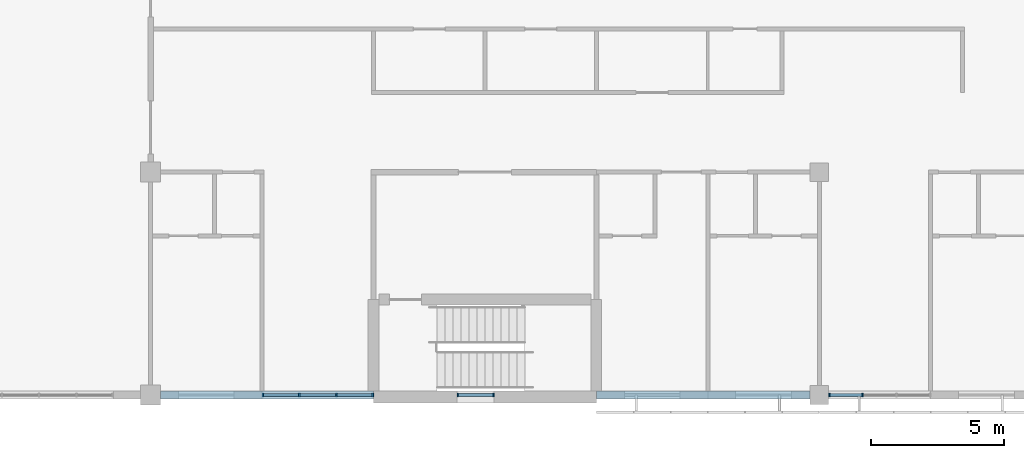
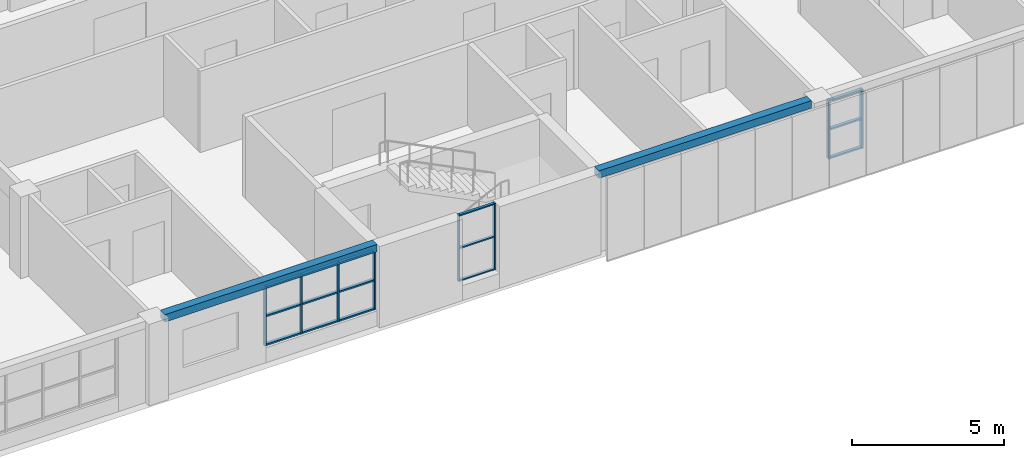
# One storey, part 19 of 61: 23 members, 2 beams, 3 elements without a shape of their own.
"""IFC4 building model written with IfcOpenShell, lengths in metres."""

import ifcopenshell
import ifcopenshell.guid

model = None  # the IFC model being written
_history = None  # IfcOwnerHistory: only IFC2X3 demands one
_inside = {}  # id of a spatial element -> (the spatial element, [elements in it])
_under = {}  # id of a project, library or spatial element -> (it, [spatial elements below it])
_declared = {}  # id of a project -> (the project, [libraries it declares])
_typed = {}  # id of a type object -> (the type object, [elements of that type])
_made_of = {}  # id of a material, layer set ... -> (it, [elements and type objects made of it])


def new_model(schema):
    """Start an empty IFC model of exactly this schema.

    Asked for "IFC4X3", IfcOpenShell would pick the latest addendum, in which some entities
    have other attributes; the version numbers below select the first issue.
    IFC2X3 requires an IfcOwnerHistory on every rooted entity: one is made here for all.
    """
    global model, _history
    if schema == "IFC4X3":
        model = ifcopenshell.file(schema_version=(4, 3, 0, 0))
    else:
        model = ifcopenshell.file(schema=schema)
    _inside.clear()
    _under.clear()
    _declared.clear()
    _typed.clear()
    _made_of.clear()
    _history = None
    if model.schema == "IFC2X3":
        org = make("IfcOrganization", Name="unknown")
        user = make(
            "IfcPersonAndOrganization",
            ThePerson=make("IfcPerson", FamilyName="unknown"),
            TheOrganization=org,
        )
        app = make(
            "IfcApplication",
            ApplicationDeveloper=org,
            Version="unknown",
            ApplicationFullName="unknown",
            ApplicationIdentifier="unknown",
        )
        _history = make(
            "IfcOwnerHistory",
            OwningUser=user,
            OwningApplication=app,
            ChangeAction="ADDED",
            CreationDate=0,
        )
    return model


def make(cls, **values):
    """One entity of the class cls with the attributes given. An attribute that is None is left unset."""
    return model.create_entity(
        cls, **{name: value for name, value in values.items() if value is not None}
    )


def rooted(cls, **values):
    """An entity with a GlobalId (a new one), such as an element, a storey or a relation."""
    return make(cls, GlobalId=ifcopenshell.guid.new(), OwnerHistory=_history, **values)


def si_unit(unit_type, name, prefix=None):
    """IfcSIUnit, for example si_unit("LENGTHUNIT", "METRE", prefix="MILLI")."""
    return make("IfcSIUnit", UnitType=unit_type, Prefix=prefix, Name=name)


def assignment(units):
    """IfcUnitAssignment: the units of a project."""
    return None if units is None else make("IfcUnitAssignment", Units=units)


def point(xyz):
    """IfcCartesianPoint."""
    return None if xyz is None else make("IfcCartesianPoint", Coordinates=xyz)


def direction(xyz):
    """IfcDirection."""
    return None if xyz is None else make("IfcDirection", DirectionRatios=xyz)


def frame(location, z_axis=None, x_axis=None):
    """IfcAxis2Placement3D, a coordinate frame: its origin and axes. An axis left out is left unset."""
    return make(
        "IfcAxis2Placement3D",
        Location=point(location),
        Axis=direction(z_axis),
        RefDirection=direction(x_axis),
    )


def frame_2d(location, x_axis=None):
    """IfcAxis2Placement2D, a coordinate frame in the plane: its origin and x axis."""
    return make(
        "IfcAxis2Placement2D", Location=point(location), RefDirection=direction(x_axis)
    )


def origin():
    """The frame at (0, 0, 0) with its axes left unset."""
    return frame((0.0, 0.0, 0.0))


def origin_2d():
    """The frame at (0, 0) in the plane with its x axis left unset."""
    return frame_2d((0.0, 0.0))


def place(relative_to, where):
    """IfcLocalPlacement: puts the frame where relative to a parent placement (None: the world)."""
    return make(
        "IfcLocalPlacement", PlacementRelTo=relative_to, RelativePlacement=where
    )


def context(
    kind, dimensions, precision=None, world=None, true_north=None, identifier=None
):
    """IfcGeometricRepresentationContext, for example the 3D "Model" context."""
    return make(
        "IfcGeometricRepresentationContext",
        ContextIdentifier=identifier,
        ContextType=kind,
        CoordinateSpaceDimension=dimensions,
        Precision=precision,
        WorldCoordinateSystem=world,
        TrueNorth=true_north,
    )


def subcontext(parent, identifier, kind, view, scale=None):
    """IfcGeometricRepresentationSubContext, for example "Body" below "Model"."""
    return make(
        "IfcGeometricRepresentationSubContext",
        ContextIdentifier=identifier,
        ContextType=kind,
        ParentContext=parent,
        TargetScale=scale,
        TargetView=view,
    )


def project(units=None, contexts=None):
    """IfcProject with its units and contexts."""
    return rooted(
        "IfcProject",
        Name="project",
        RepresentationContexts=contexts,
        UnitsInContext=assignment(units),
    )


def spatial(cls, under=None, at=None, **own):
    """A site, building, storey or space (cls), placed at a placement, below another one or the project."""
    s = rooted(cls, ObjectPlacement=at, **own)
    if under is not None:
        _under.setdefault(under.id(), (under, []))[1].append(s)
    return s


def profile(cls, at=None, kind="AREA", **sizes):
    """A parametric profile (cls). Its sizes go by their IFC names, for example OverallWidth=200.0."""
    return make(cls, ProfileType=kind, Position=at, **sizes)


def rectangle(**sizes):
    """IfcRectangleProfileDef."""
    return profile("IfcRectangleProfileDef", **sizes)


def extrude(swept, where, along, depth):
    """IfcExtrudedAreaSolid: the profile swept, set in the frame where, extruded along a direction by depth."""
    return make(
        "IfcExtrudedAreaSolid",
        SweptArea=swept,
        Position=where,
        ExtrudedDirection=direction(along),
        Depth=depth,
    )


def shape(context_of_items, identifier, shape_type, items):
    """IfcShapeRepresentation: the items that make up one representation, for example the "Body"."""
    return make(
        "IfcShapeRepresentation",
        ContextOfItems=context_of_items,
        RepresentationIdentifier=identifier,
        RepresentationType=shape_type,
        Items=items,
    )


def material(Name=None, Category=None):
    """IfcMaterial."""
    return make("IfcMaterial", Name=Name, Category=Category)


def material_profile(
    of_material, cross_section, Name=None, Category=None, Priority=None
):
    """IfcMaterialProfile: a cross section and its material."""
    return make(
        "IfcMaterialProfile",
        Name=Name,
        Material=of_material,
        Profile=cross_section,
        Priority=Priority,
        Category=Category,
    )


def profile_set(profiles, Name=None, composite=None):
    """IfcMaterialProfileSet."""
    return make(
        "IfcMaterialProfileSet",
        Name=Name,
        MaterialProfiles=profiles,
        CompositeProfile=composite,
    )


def made_of(thing, what):
    """Note that an element or type object is made of a material, layer set ...; save() writes the relation."""
    if what is not None:
        _made_of.setdefault(what.id(), (what, []))[1].append(thing)
    return thing


def type_object(cls, material=None, **own):
    """A type object (cls), such as IfcWallType, which elements share."""
    return made_of(rooted(cls, **own), material)


def element(
    cls,
    number,
    at=None,
    inside=None,
    cuts=None,
    type_object=None,
    material=None,
    context=None,
    identifier="Body",
    shape_type=None,
    held_by="IfcProductDefinitionShape",
    body=None,
    shapes=None,
    **own,
):
    """One element of the class cls, such as IfcWall. Its Tag is "e" and its number.

    at: its placement. inside: the storey or other place that contains it. cuts: it is an
    opening in that element (IfcRelVoidsElement). A single representation is given by context,
    identifier, shape_type and body (its items); several are given by shapes. held_by: the class
    of the entity that holds the representations. save() writes the other relations.
    """
    e = rooted(cls, Tag="e%d" % number, ObjectPlacement=at, **own)
    if body is not None:
        shapes = [shape(context, identifier, shape_type, body)]
    if shapes is not None:
        e.Representation = make(held_by, Representations=shapes)
    if inside is not None:
        _inside.setdefault(inside.id(), (inside, []))[1].append(e)
    if cuts is not None:
        rooted(
            "IfcRelVoidsElement", RelatingBuildingElement=cuts, RelatedOpeningElement=e
        )
    if type_object is not None:
        _typed.setdefault(type_object.id(), (type_object, []))[1].append(e)
    return made_of(e, material)


def aggregate(whole, parts):
    """IfcRelAggregates: a whole, such as a stair, and the parts it consists of."""
    return rooted("IfcRelAggregates", RelatingObject=whole, RelatedObjects=parts)


def save(model, path):
    """Write the relations noted so far, then the file.

    IfcRelAggregates (storeys below a building ...), IfcRelContainedInSpatialStructure (elements
    in a storey), IfcRelDefinesByType, IfcRelAssociatesMaterial and IfcRelDeclares: one each for
    every whole, place, type object, material and project.
    """
    for whole, parts in _under.values():
        aggregate(whole, parts)
    for where, things in _inside.values():
        rooted(
            "IfcRelContainedInSpatialStructure",
            RelatedElements=things,
            RelatingStructure=where,
        )
    for kind, things in _typed.values():
        rooted("IfcRelDefinesByType", RelatedObjects=things, RelatingType=kind)
    for what, things in _made_of.values():
        rooted("IfcRelAssociatesMaterial", RelatedObjects=things, RelatingMaterial=what)
    for by, libraries in _declared.values():
        rooted("IfcRelDeclares", RelatingContext=by, RelatedDefinitions=libraries)
    model.write(path)


model = new_model("IFC4")

# Units and contexts
model_context = context("Model", 3, precision=1e-05, world=origin(), true_north=direction((0.0, 1.0)))
body_context = subcontext(model_context, "Body", "Model", "MODEL_VIEW")
ifc_project = project(units=[si_unit("LENGTHUNIT", "METRE"), si_unit("AREAUNIT", "SQUARE_METRE"), si_unit("VOLUMEUNIT", "CUBIC_METRE"), si_unit("PLANEANGLEUNIT", "RADIAN"), si_unit("MASSUNIT", "GRAM", prefix="KILO")], contexts=[model_context])

# Site, building, storey
site_placement = place(None, origin())
site = spatial("IfcSite", under=ifc_project, at=site_placement, CompositionType="ELEMENT")
building_placement = place(site_placement, origin())
building = spatial("IfcBuilding", under=site, at=building_placement, Name="Yavir Park General Hospital", CompositionType="ELEMENT")
storey_placement = place(building_placement, frame((0.0, 0.0, 15.300048828125)))
storey = spatial("IfcBuildingStorey", under=building, at=storey_placement, Name="L03", CompositionType="ELEMENT", Elevation=15.300048828125)

# Curtain wall, members
ifc_material_1 = material(Name="Aluminium curtain wall frame with insulated glazing", Category="aluminium")
curtain_wall_type_1 = type_object("IfcCurtainWallType", Name="Day room pocket glazing, ward floors, 2360 high, 1400 module", PredefinedType="NOTDEFINED", material=ifc_material_1)
curtain_wall_1_placement = place(storey_placement, origin())
curtain_wall_1 = element("IfcCurtainWall", 1, at=curtain_wall_1_placement, inside=storey, type_object=curtain_wall_type_1, Name="CW6 L03-008", PredefinedType="NOTDEFINED")
ifc_material_2 = material(Name="Aluminium", Category="aluminium")
ifc_material_profile_1 = material_profile(ifc_material_2, rectangle(XDim=0.139892578125, YDim=0.06005859375, at=origin_2d()), Name="AL 60x140")
ifc_profile_set_1 = profile_set([ifc_material_profile_1], Name="Aluminium")
member_type_1 = type_object("IfcMemberType", Name="Day room pocket glazing, ward floors, 2360 high mullion 60 x 140", PredefinedType="MULLION", material=ifc_profile_set_1)
member_1_placement = place(storey_placement, frame((130.22998046875, 0.0, 0.599853515625), z_axis=(0.0, 0.0, 1.0), x_axis=(0.0, 1.0, 0.0)))
member_1 = element("IfcMember", 2, at=member_1_placement, type_object=member_type_1, Name="CW6 mullion 1", PredefinedType="MULLION", context=body_context, shape_type="SweptSolid", body=[
    extrude(rectangle(XDim=0.139892578125, YDim=0.06005859375, at=origin_2d()), origin(), (0.0, 0.0, 1.0), 2.360107421875),
])
member_2_placement = place(storey_placement, frame((131.60009765625, 0.0, 0.599853515625), z_axis=(0.0, 0.0, 1.0), x_axis=(0.0, 1.0, 0.0)))
member_2 = element("IfcMember", 3, at=member_2_placement, type_object=member_type_1, Name="CW6 mullion 2", PredefinedType="MULLION", context=body_context, shape_type="SweptSolid", body=[
    extrude(rectangle(XDim=0.139892578125, YDim=0.06005859375, at=origin_2d()), origin(), (0.0, 0.0, 1.0), 2.360107421875),
])
member_3_placement = place(storey_placement, frame((133.0, 0.0, 0.599853515625), z_axis=(0.0, 0.0, 1.0), x_axis=(0.0, 1.0, 0.0)))
member_3 = element("IfcMember", 4, at=member_3_placement, type_object=member_type_1, Name="CW6 mullion 3", PredefinedType="MULLION", context=body_context, shape_type="SweptSolid", body=[
    extrude(rectangle(XDim=0.139892578125, YDim=0.06005859375, at=origin_2d()), origin(), (0.0, 0.0, 1.0), 2.360107421875),
])
member_4_placement = place(storey_placement, frame((134.3701171875, 0.0, 0.599853515625), z_axis=(0.0, 0.0, 1.0), x_axis=(0.0, 1.0, 0.0)))
member_4 = element("IfcMember", 5, at=member_4_placement, type_object=member_type_1, Name="CW6 mullion 4", PredefinedType="MULLION", context=body_context, shape_type="SweptSolid", body=[
    extrude(rectangle(XDim=0.139892578125, YDim=0.06005859375, at=origin_2d()), origin(), (0.0, 0.0, 1.0), 2.360107421875),
])

curtain_wall_2_placement = place(storey_placement, origin())
curtain_wall_2 = element("IfcCurtainWall", 6, at=curtain_wall_2_placement, inside=storey, type_object=curtain_wall_type_1, Name="CW6 L03-010", PredefinedType="NOTDEFINED")
member_5_placement = place(storey_placement, frame((151.580078125, 0.0, 0.599853515625), z_axis=(0.0, 0.0, 1.0), x_axis=(0.0, 1.0, 0.0)))
member_5 = element("IfcMember", 7, at=member_5_placement, type_object=member_type_1, Name="CW6 mullion 1", PredefinedType="MULLION", context=body_context, shape_type="SweptSolid", body=[
    extrude(rectangle(XDim=0.139892578125, YDim=0.06005859375, at=origin_2d()), origin(), (0.0, 0.0, 1.0), 2.360107421875),
])
member_6_placement = place(storey_placement, frame((152.833251953125, 0.0, 0.599853515625), z_axis=(0.0, 0.0, 1.0), x_axis=(0.0, 1.0, 0.0)))
member_6 = element("IfcMember", 8, at=member_6_placement, type_object=member_type_1, Name="CW6 mullion 2", PredefinedType="MULLION", context=body_context, shape_type="SweptSolid", body=[
    extrude(rectangle(XDim=0.139892578125, YDim=0.06005859375, at=origin_2d()), origin(), (0.0, 0.0, 1.0), 2.360107421875),
])

# Member
ifc_material_3 = material(Name="Aluminium", Category="aluminium")
ifc_material_profile_2 = material_profile(ifc_material_3, rectangle(XDim=0.1201171875, YDim=0.06005859375, at=origin_2d()), Name="AL 120x60")
ifc_profile_set_2 = profile_set([ifc_material_profile_2], Name="Aluminium")
member_type_2 = type_object("IfcMemberType", Name="Day room pocket glazing, ward floors, 2360 high transom 60 x 120", PredefinedType="MULLION", material=ifc_profile_set_2)
member_7_placement = place(storey_placement, frame((130.260009765625, 0.0, 0.6298828125), z_axis=(1.0, 0.0, 0.0), x_axis=(0.0, 1.0, 0.0)))
member_7 = element("IfcMember", 9, at=member_7_placement, type_object=member_type_2, Name="CW6 transom 1.1", PredefinedType="MULLION", context=body_context, shape_type="SweptSolid", body=[
    extrude(rectangle(XDim=0.1201171875, YDim=0.06005859375, at=origin_2d()), origin(), (0.0, 0.0, 1.0), 1.31005859375),
])

member_8_placement = place(storey_placement, frame((130.260009765625, 0.0, 1.780029296875), z_axis=(1.0, 0.0, 0.0), x_axis=(0.0, 1.0, 0.0)))
member_8 = element("IfcMember", 10, at=member_8_placement, type_object=member_type_2, Name="CW6 transom 1.2", PredefinedType="MULLION", context=body_context, shape_type="SweptSolid", body=[
    extrude(rectangle(XDim=0.1201171875, YDim=0.06005859375, at=origin_2d()), origin(), (0.0, 0.0, 1.0), 1.31005859375),
])

member_9_placement = place(storey_placement, frame((130.260009765625, 0.0, 2.929931640625), z_axis=(1.0, 0.0, 0.0), x_axis=(0.0, 1.0, 0.0)))
member_9 = element("IfcMember", 11, at=member_9_placement, type_object=member_type_2, Name="CW6 transom 1.3", PredefinedType="MULLION", context=body_context, shape_type="SweptSolid", body=[
    extrude(rectangle(XDim=0.1201171875, YDim=0.06005859375, at=origin_2d()), origin(), (0.0, 0.0, 1.0), 1.31005859375),
])

member_10_placement = place(storey_placement, frame((131.6298828125, 0.0, 0.6298828125), z_axis=(1.0, 0.0, 0.0), x_axis=(0.0, 1.0, 0.0)))
member_10 = element("IfcMember", 12, at=member_10_placement, type_object=member_type_2, Name="CW6 transom 2.1", PredefinedType="MULLION", context=body_context, shape_type="SweptSolid", body=[
    extrude(rectangle(XDim=0.1201171875, YDim=0.06005859375, at=origin_2d()), origin(), (0.0, 0.0, 1.0), 1.340087890625),
])

member_11_placement = place(storey_placement, frame((131.6298828125, 0.0, 1.780029296875), z_axis=(1.0, 0.0, 0.0), x_axis=(0.0, 1.0, 0.0)))
member_11 = element("IfcMember", 13, at=member_11_placement, type_object=member_type_2, Name="CW6 transom 2.2", PredefinedType="MULLION", context=body_context, shape_type="SweptSolid", body=[
    extrude(rectangle(XDim=0.1201171875, YDim=0.06005859375, at=origin_2d()), origin(), (0.0, 0.0, 1.0), 1.340087890625),
])

member_12_placement = place(storey_placement, frame((131.6298828125, 0.0, 2.929931640625), z_axis=(1.0, 0.0, 0.0), x_axis=(0.0, 1.0, 0.0)))
member_12 = element("IfcMember", 14, at=member_12_placement, type_object=member_type_2, Name="CW6 transom 2.3", PredefinedType="MULLION", context=body_context, shape_type="SweptSolid", body=[
    extrude(rectangle(XDim=0.1201171875, YDim=0.06005859375, at=origin_2d()), origin(), (0.0, 0.0, 1.0), 1.340087890625),
])

member_13_placement = place(storey_placement, frame((133.030029296875, 0.0, 0.6298828125), z_axis=(1.0, 0.0, 0.0), x_axis=(0.0, 1.0, 0.0)))
member_13 = element("IfcMember", 15, at=member_13_placement, type_object=member_type_2, Name="CW6 transom 3.1", PredefinedType="MULLION", context=body_context, shape_type="SweptSolid", body=[
    extrude(rectangle(XDim=0.1201171875, YDim=0.06005859375, at=origin_2d()), origin(), (0.0, 0.0, 1.0), 1.31005859375),
])

member_14_placement = place(storey_placement, frame((133.030029296875, 0.0, 1.780029296875), z_axis=(1.0, 0.0, 0.0), x_axis=(0.0, 1.0, 0.0)))
member_14 = element("IfcMember", 16, at=member_14_placement, type_object=member_type_2, Name="CW6 transom 3.2", PredefinedType="MULLION", context=body_context, shape_type="SweptSolid", body=[
    extrude(rectangle(XDim=0.1201171875, YDim=0.06005859375, at=origin_2d()), origin(), (0.0, 0.0, 1.0), 1.31005859375),
])

member_15_placement = place(storey_placement, frame((133.030029296875, 0.0, 2.929931640625), z_axis=(1.0, 0.0, 0.0), x_axis=(0.0, 1.0, 0.0)))
member_15 = element("IfcMember", 17, at=member_15_placement, type_object=member_type_2, Name="CW6 transom 3.3", PredefinedType="MULLION", context=body_context, shape_type="SweptSolid", body=[
    extrude(rectangle(XDim=0.1201171875, YDim=0.06005859375, at=origin_2d()), origin(), (0.0, 0.0, 1.0), 1.31005859375),
])

aggregate(curtain_wall_1, [member_1, member_2, member_3, member_4, member_7, member_8, member_9, member_10, member_11, member_12, member_13, member_14, member_15])

member_16_placement = place(storey_placement, frame((151.610107421875, 0.0, 0.6298828125), z_axis=(1.0, 0.0, 0.0), x_axis=(0.0, 1.0, 0.0)))
member_16 = element("IfcMember", 18, at=member_16_placement, type_object=member_type_2, Name="CW6 transom 1.1", PredefinedType="MULLION", context=body_context, shape_type="SweptSolid", body=[
    extrude(rectangle(XDim=0.1201171875, YDim=0.06005859375, at=origin_2d()), origin(), (0.0, 0.0, 1.0), 1.193115234375),
])

member_17_placement = place(storey_placement, frame((151.610107421875, 0.0, 1.780029296875), z_axis=(1.0, 0.0, 0.0), x_axis=(0.0, 1.0, 0.0)))
member_17 = element("IfcMember", 19, at=member_17_placement, type_object=member_type_2, Name="CW6 transom 1.2", PredefinedType="MULLION", context=body_context, shape_type="SweptSolid", body=[
    extrude(rectangle(XDim=0.1201171875, YDim=0.06005859375, at=origin_2d()), origin(), (0.0, 0.0, 1.0), 1.193115234375),
])

member_18_placement = place(storey_placement, frame((151.610107421875, 0.0, 2.929931640625), z_axis=(1.0, 0.0, 0.0), x_axis=(0.0, 1.0, 0.0)))
member_18 = element("IfcMember", 20, at=member_18_placement, type_object=member_type_2, Name="CW6 transom 1.3", PredefinedType="MULLION", context=body_context, shape_type="SweptSolid", body=[
    extrude(rectangle(XDim=0.1201171875, YDim=0.06005859375, at=origin_2d()), origin(), (0.0, 0.0, 1.0), 1.193115234375),
])

aggregate(curtain_wall_2, [member_5, member_6, member_16, member_17, member_18])

# Beams
ifc_material_4 = material(Name="Concrete C35/45", Category="concrete")
ifc_material_profile_3 = material_profile(ifc_material_4, rectangle(XDim=0.300048828125, YDim=0.300048828125, at=origin_2d()), Name="RC300x300")
ifc_profile_set_3 = profile_set([ifc_material_profile_3], Name="Concrete C35/45")
beam_type = type_object("IfcBeamType", Name="RC BEAM 300x300 edge beam", PredefinedType="BEAM", material=ifc_profile_set_3)
beam_1_placement = place(storey_placement, frame((126.375, 0.0, 3.10986328125), z_axis=(1.0, 0.0, 0.0), x_axis=(0.0, 1.0, 0.0)))
element("IfcBeam", 21, at=beam_1_placement, inside=storey, type_object=beam_type, Name="B:EDGE:L03:007", PredefinedType="BEAM", context=body_context, shape_type="SweptSolid", body=[
    extrude(rectangle(XDim=0.300048828125, YDim=0.300048828125, at=origin_2d()), origin(), (0.0, 0.0, 1.0), 8.02490234375),
])
beam_2_placement = place(storey_placement, frame((142.800048828125, 0.0, 3.10986328125), z_axis=(1.0, 0.0, 0.0), x_axis=(0.0, 1.0, 0.0)))
element("IfcBeam", 22, at=beam_2_placement, inside=storey, type_object=beam_type, Name="B:EDGE:L03:008", PredefinedType="BEAM", context=body_context, shape_type="SweptSolid", body=[
    extrude(rectangle(XDim=0.300048828125, YDim=0.300048828125, at=origin_2d()), origin(), (0.0, 0.0, 1.0), 8.050048828125),
])

# Curtain wall, members
ifc_material_5 = material(Name="Aluminium curtain wall frame with insulated glazing", Category="aluminium")
curtain_wall_type_2 = type_object("IfcCurtainWallType", Name="Stair light slot, ward floors, 2660 high, 1400 module", PredefinedType="NOTDEFINED", material=ifc_material_5)
curtain_wall_3_placement = place(storey_placement, origin())
curtain_wall_3 = element("IfcCurtainWall", 23, at=curtain_wall_3_placement, inside=storey, type_object=curtain_wall_type_2, Name="CW10 L03-009", PredefinedType="NOTDEFINED")
ifc_material_6 = material(Name="Aluminium", Category="aluminium")
ifc_material_profile_4 = material_profile(ifc_material_6, rectangle(XDim=0.1201171875, YDim=0.050048828125, at=origin_2d()), Name="AL 50x120")
ifc_profile_set_4 = profile_set([ifc_material_profile_4], Name="Aluminium")
member_type_3 = type_object("IfcMemberType", Name="Stair light slot, ward floors, 2660 high mullion 50 x 120", PredefinedType="MULLION", material=ifc_profile_set_4)
member_19_placement = place(storey_placement, frame((137.574951171875, 0.0, 0.599853515625), z_axis=(0.0, 0.0, 1.0), x_axis=(0.0, 1.0, 0.0)))
member_19 = element("IfcMember", 24, at=member_19_placement, type_object=member_type_3, Name="CW10 mullion 1", PredefinedType="MULLION", context=body_context, shape_type="SweptSolid", body=[
    extrude(rectangle(XDim=0.1201171875, YDim=0.050048828125, at=origin_2d()), origin(), (0.0, 0.0, 1.0), 2.66015625),
])
member_20_placement = place(storey_placement, frame((138.925048828125, 0.0, 0.599853515625), z_axis=(0.0, 0.0, 1.0), x_axis=(0.0, 1.0, 0.0)))
member_20 = element("IfcMember", 25, at=member_20_placement, type_object=member_type_3, Name="CW10 mullion 2", PredefinedType="MULLION", context=body_context, shape_type="SweptSolid", body=[
    extrude(rectangle(XDim=0.1201171875, YDim=0.050048828125, at=origin_2d()), origin(), (0.0, 0.0, 1.0), 2.66015625),
])
ifc_material_7 = material(Name="Aluminium", Category="aluminium")
ifc_material_profile_5 = material_profile(ifc_material_7, rectangle(XDim=0.10009765625, YDim=0.050048828125, at=origin_2d()), Name="AL 100x50")
ifc_profile_set_5 = profile_set([ifc_material_profile_5], Name="Aluminium")
member_type_4 = type_object("IfcMemberType", Name="Stair light slot, ward floors, 2660 high transom 50 x 100", PredefinedType="MULLION", material=ifc_profile_set_5)
member_21_placement = place(storey_placement, frame((137.60009765625, 0.0, 0.625), z_axis=(1.0, 0.0, 0.0), x_axis=(0.0, 1.0, 0.0)))
member_21 = element("IfcMember", 26, at=member_21_placement, type_object=member_type_4, Name="CW10 transom 1.1", PredefinedType="MULLION", context=body_context, shape_type="SweptSolid", body=[
    extrude(rectangle(XDim=0.10009765625, YDim=0.050048828125, at=origin_2d()), origin(), (0.0, 0.0, 1.0), 1.2998046875),
])
member_22_placement = place(storey_placement, frame((137.60009765625, 0.0, 1.929931640625), z_axis=(1.0, 0.0, 0.0), x_axis=(0.0, 1.0, 0.0)))
member_22 = element("IfcMember", 27, at=member_22_placement, type_object=member_type_4, Name="CW10 transom 1.2", PredefinedType="MULLION", context=body_context, shape_type="SweptSolid", body=[
    extrude(rectangle(XDim=0.10009765625, YDim=0.050048828125, at=origin_2d()), origin(), (0.0, 0.0, 1.0), 1.2998046875),
])
member_23_placement = place(storey_placement, frame((137.60009765625, 0.0, 3.23486328125), z_axis=(1.0, 0.0, 0.0), x_axis=(0.0, 1.0, 0.0)))
member_23 = element("IfcMember", 28, at=member_23_placement, type_object=member_type_4, Name="CW10 transom 1.3", PredefinedType="MULLION", context=body_context, shape_type="SweptSolid", body=[
    extrude(rectangle(XDim=0.10009765625, YDim=0.050048828125, at=origin_2d()), origin(), (0.0, 0.0, 1.0), 1.2998046875),
])
aggregate(curtain_wall_3, [member_19, member_20, member_21, member_22, member_23])

save(model, "model.ifc")
